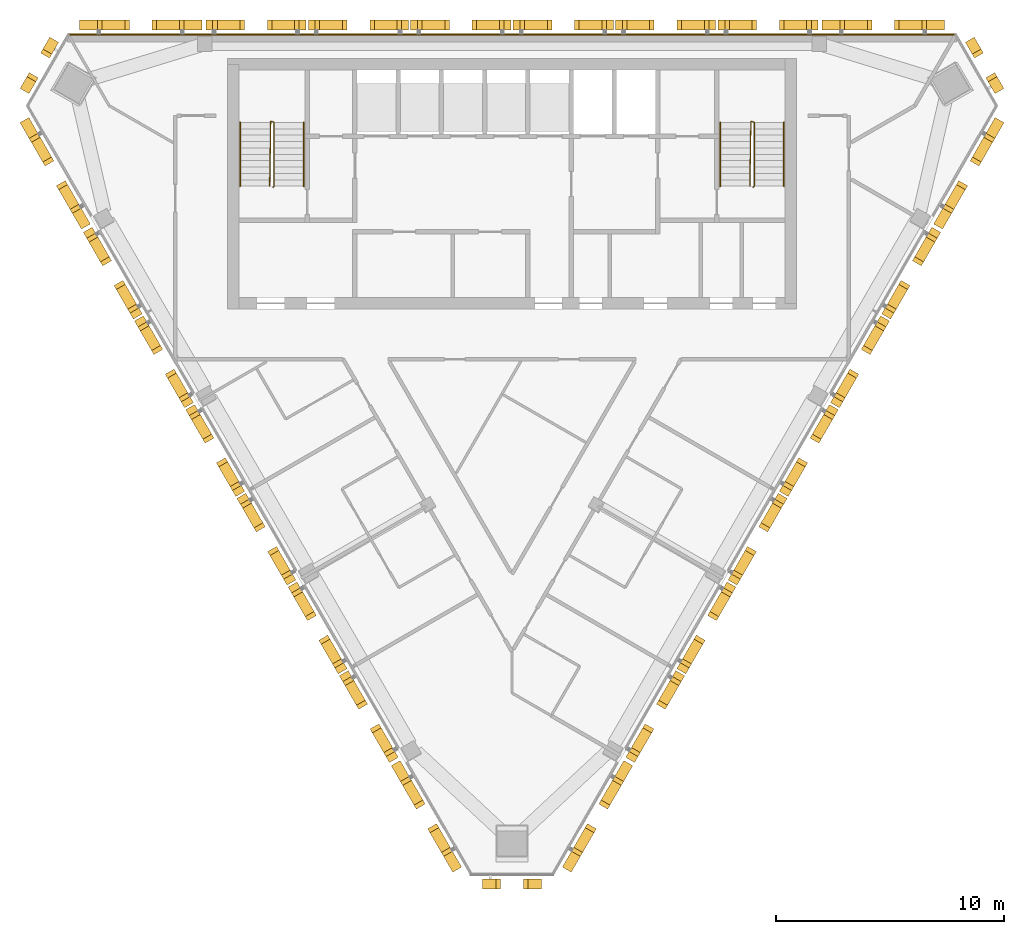
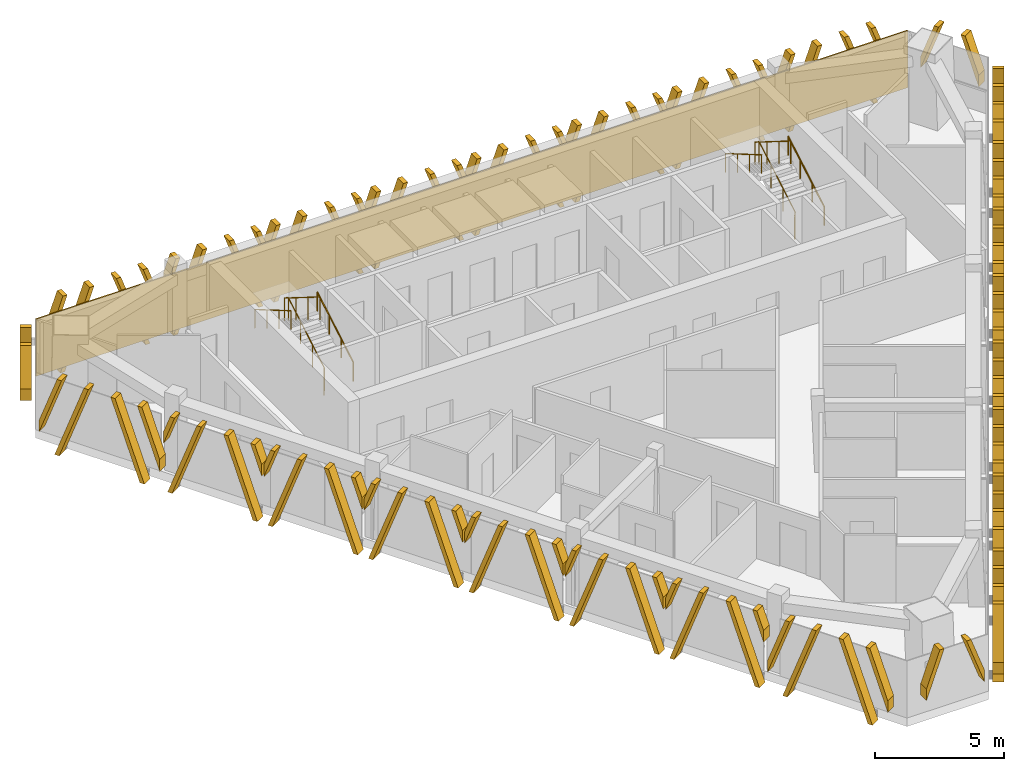
# One storey, part 11 of 12: 27 shading devices, 6 railings, 1 covering.
"""IFC4 building model written with IfcOpenShell, lengths in metres."""

from ifc_helpers import new_model, si_unit, direction, frame, frame_2d, origin, origin_2d, place, context, subcontext, project, spatial, polyline, rectangle, circle, outline, extrude, source, transform, mapped, material, layer, layer_set, type_object, element, save


model = new_model("IFC4")

# Units and contexts
model_context = context("Model", 3, precision=1e-05, world=origin(), true_north=direction((0.0, 1.0)))
body_context = subcontext(model_context, "Body", "Model", "MODEL_VIEW")
ifc_project = project(units=[si_unit("LENGTHUNIT", "METRE"), si_unit("AREAUNIT", "SQUARE_METRE"), si_unit("VOLUMEUNIT", "CUBIC_METRE"), si_unit("PLANEANGLEUNIT", "RADIAN"), si_unit("MASSUNIT", "GRAM", prefix="KILO")], contexts=[model_context])

# Site, building, storey
site_placement = place(None, origin())
site = spatial("IfcSite", under=ifc_project, at=site_placement, CompositionType="ELEMENT")
building_placement = place(site_placement, origin())
building = spatial("IfcBuilding", under=site, at=building_placement, Name="Altiplano Prism Tower", CompositionType="ELEMENT")
storey_placement = place(building_placement, frame((0.0, 0.0, 323.800048828125)))
storey = spatial("IfcBuildingStorey", under=building, at=storey_placement, Name="L84", CompositionType="ELEMENT", Elevation=323.800048828125)

# Railings
ifc_material_1 = material(Name="Steel S355", Category="steel")
railing_type_1 = type_object("IfcRailingType", Name="Stair guard 1100", PredefinedType="GUARDRAIL", material=ifc_material_1)
railing_1_placement = place(storey_placement, frame((74.5, 98.25, 0.0)))
element("IfcRailing", 1, at=railing_1_placement, inside=storey, type_object=railing_type_1, Name="L84 ST1 stair guard 1", PredefinedType="GUARDRAIL", context=body_context, shape_type="SweptSolid", body=[
    extrude(circle(Radius=0.02392578125, at=origin_2d()), frame((0.0, 0.0, 1.076171875), z_axis=(0.280808744504, 0.280808744504, 0.917765164963), x_axis=(-0.707106781187, 0.707106781187, 0.0)), (0.0, 0.0, 1.0), 0.17822265625),
    extrude(circle(Radius=0.02392578125, at=origin_2d()), frame((0.050048828125, 0.050048828125, 1.23974609375), z_axis=(0.0, 0.863360870873, 0.504586966384), x_axis=(-1.0, 0.0, 0.0)), (0.0, 0.0, 1.0), 3.2431640625),
    extrude(circle(Radius=0.02392578125, at=origin_2d()), frame((0.050048828125, 2.85009765625, 2.8759765625), z_axis=(-0.949145278916, 0.314838433982, 0.0), x_axis=(-0.314838433982, -0.949145278916, 0.0)), (0.0, 0.0, 1.0), 0.158203125),
    extrude(circle(Radius=0.02392578125, at=origin_2d()), frame((-0.10009765625, 2.89990234375, 2.8759765625), z_axis=(-0.014774583964, -0.845410385345, 0.533912906773), x_axis=(0.999847325713, -0.01747355902, 0.0)), (0.0, 0.0, 1.0), 3.370849609375),
    extrude(circle(Radius=0.02099609375, at=origin_2d()), origin(), (0.0, 0.0, 1.0), 1.052001953125),
    extrude(circle(Radius=0.02099609375, at=origin_2d()), frame((0.050048828125, 0.050048828125, 0.16357421875)), (0.0, 0.0, 1.0), 1.052001953125),
    extrude(circle(Radius=0.02099609375, at=origin_2d()), frame((0.050048828125, 0.9833984375, 0.708984375)), (0.0, 0.0, 1.0), 1.052001953125),
    extrude(circle(Radius=0.02099609375, at=origin_2d()), frame((0.050048828125, 1.916748046875, 1.254638671875)), (0.0, 0.0, 1.0), 1.052001953125),
    extrude(circle(Radius=0.02099609375, at=origin_2d()), frame((0.050048828125, 2.85009765625, 1.800048828125)), (0.0, 0.0, 1.0), 1.052001953125),
    extrude(circle(Radius=0.02099609375, at=origin_2d()), frame((-0.10009765625, 2.89990234375, 1.800048828125)), (0.0, 0.0, 1.0), 1.052001953125),
    extrude(circle(Radius=0.02099609375, at=origin_2d()), frame((-0.11669921875, 1.949951171875, 2.39990234375)), (0.0, 0.0, 1.0), 1.052001953125),
    extrude(circle(Radius=0.02099609375, at=origin_2d()), frame((-0.13330078125, 1.0, 3.0)), (0.0, 0.0, 1.0), 1.052001953125),
    extrude(circle(Radius=0.02099609375, at=origin_2d()), frame((-0.14990234375, 0.050048828125, 3.599853515625)), (0.0, 0.0, 1.0), 1.052001953125),
])
railing_2_placement = place(storey_placement, frame((95.60009765625, 98.25, 0.0)))
element("IfcRailing", 2, at=railing_2_placement, inside=storey, type_object=railing_type_1, Name="L84 ST2 stair guard 1", PredefinedType="GUARDRAIL", context=body_context, shape_type="SweptSolid", body=[
    extrude(circle(Radius=0.02392578125, at=origin_2d()), frame((0.0, 0.0, 1.076171875), z_axis=(0.279546231943, 0.280916556609, 0.91811752648), x_axis=(-0.708833529934, 0.705375805398, 0.0)), (0.0, 0.0, 1.0), 0.17822265625),
    extrude(circle(Radius=0.02392578125, at=origin_2d()), frame((0.0498046875, 0.050048828125, 1.23974609375), z_axis=(0.0, 0.863360870873, 0.504586966384), x_axis=(-1.0, 0.0, 0.0)), (0.0, 0.0, 1.0), 3.2431640625),
    extrude(circle(Radius=0.02392578125, at=origin_2d()), frame((0.0498046875, 2.85009765625, 2.8759765625), z_axis=(-0.948991962702, 0.315300261223, 0.0), x_axis=(-0.315300261223, -0.948991962702, 0.0)), (0.0, 0.0, 1.0), 0.157958984375),
    extrude(circle(Radius=0.02392578125, at=origin_2d()), frame((-0.10009765625, 2.89990234375, 2.8759765625), z_axis=(-0.014846992469, -0.845409478506, 0.533912334065), x_axis=(0.999845825584, -0.017559187376, 0.0)), (0.0, 0.0, 1.0), 3.37109375),
    extrude(circle(Radius=0.02099609375, at=origin_2d()), origin(), (0.0, 0.0, 1.0), 1.052001953125),
    extrude(circle(Radius=0.02099609375, at=origin_2d()), frame((0.0498046875, 0.050048828125, 0.16357421875)), (0.0, 0.0, 1.0), 1.052001953125),
    extrude(circle(Radius=0.02099609375, at=origin_2d()), frame((0.0498046875, 0.9833984375, 0.708984375)), (0.0, 0.0, 1.0), 1.052001953125),
    extrude(circle(Radius=0.02099609375, at=origin_2d()), frame((0.0498046875, 1.916748046875, 1.254638671875)), (0.0, 0.0, 1.0), 1.052001953125),
    extrude(circle(Radius=0.02099609375, at=origin_2d()), frame((0.0498046875, 2.85009765625, 1.800048828125)), (0.0, 0.0, 1.0), 1.052001953125),
    extrude(circle(Radius=0.02099609375, at=origin_2d()), frame((-0.10009765625, 2.89990234375, 1.800048828125)), (0.0, 0.0, 1.0), 1.052001953125),
    extrude(circle(Radius=0.02099609375, at=origin_2d()), frame((-0.11669921875, 1.949951171875, 2.39990234375)), (0.0, 0.0, 1.0), 1.052001953125),
    extrude(circle(Radius=0.02099609375, at=origin_2d()), frame((-0.133544921875, 1.0, 3.0)), (0.0, 0.0, 1.0), 1.052001953125),
    extrude(circle(Radius=0.02099609375, at=origin_2d()), frame((-0.150146484375, 0.050048828125, 3.599853515625)), (0.0, 0.0, 1.0), 1.052001953125),
])
railing_type_2 = type_object("IfcRailingType", Name="Stair handrail 900", PredefinedType="HANDRAIL", material=ifc_material_1)
railing_3_placement = place(storey_placement, frame((75.85009765625, 98.300048828125, 0.16357421875)))
element("IfcRailing", 3, at=railing_3_placement, inside=storey, type_object=railing_type_2, Name="L84 ST1 stair handrail 1", PredefinedType="HANDRAIL", context=body_context, shape_type="SweptSolid", body=[
    extrude(circle(Radius=0.02392578125, at=origin_2d()), frame((0.0, 0.0, 0.8759765625), z_axis=(0.0, 0.863360870873, 0.504586966384), x_axis=(-1.0, 0.0, 0.0)), (0.0, 0.0, 1.0), 3.2431640625),
    extrude(circle(Radius=0.02099609375, at=origin_2d()), origin(), (0.0, 0.0, 1.0), 0.851806640625),
    extrude(circle(Radius=0.02099609375, at=origin_2d()), frame((0.0, 0.933349609375, 0.54541015625)), (0.0, 0.0, 1.0), 0.851806640625),
    extrude(circle(Radius=0.02099609375, at=origin_2d()), frame((0.0, 1.86669921875, 1.091064453125)), (0.0, 0.0, 1.0), 0.851806640625),
    extrude(circle(Radius=0.02099609375, at=origin_2d()), frame((0.0, 2.800048828125, 1.636474609375)), (0.0, 0.0, 1.0), 0.851806640625),
])
railing_4_placement = place(storey_placement, frame((73.050048828125, 101.10009765625, 1.963623046875)))
element("IfcRailing", 4, at=railing_4_placement, inside=storey, type_object=railing_type_2, Name="L84 ST1 stair handrail 2", PredefinedType="HANDRAIL", context=body_context, shape_type="SweptSolid", body=[
    extrude(circle(Radius=0.02392578125, at=origin_2d()), frame((0.0, 0.0, 0.8759765625), z_axis=(0.0, -0.863393664356, 0.504530851732), x_axis=(1.0, 0.0, 0.0)), (0.0, 0.0, 1.0), 3.2431640625),
    extrude(circle(Radius=0.02099609375, at=origin_2d()), origin(), (0.0, 0.0, 1.0), 0.851806640625),
    extrude(circle(Radius=0.02099609375, at=origin_2d()), frame((0.0, -0.933349609375, 0.54541015625)), (0.0, 0.0, 1.0), 0.851806640625),
    extrude(circle(Radius=0.02099609375, at=origin_2d()), frame((0.0, -1.86669921875, 1.0908203125)), (0.0, 0.0, 1.0), 0.851806640625),
    extrude(circle(Radius=0.02099609375, at=origin_2d()), frame((0.0, -2.800048828125, 1.63623046875)), (0.0, 0.0, 1.0), 0.851806640625),
])
railing_5_placement = place(storey_placement, frame((96.949951171875, 98.300048828125, 0.16357421875)))
element("IfcRailing", 5, at=railing_5_placement, inside=storey, type_object=railing_type_2, Name="L84 ST2 stair handrail 1", PredefinedType="HANDRAIL", context=body_context, shape_type="SweptSolid", body=[
    extrude(circle(Radius=0.02392578125, at=origin_2d()), frame((0.0, 0.0, 0.8759765625), z_axis=(0.0, 0.863360870873, 0.504586966384), x_axis=(-1.0, 0.0, 0.0)), (0.0, 0.0, 1.0), 3.2431640625),
    extrude(circle(Radius=0.02099609375, at=origin_2d()), origin(), (0.0, 0.0, 1.0), 0.851806640625),
    extrude(circle(Radius=0.02099609375, at=origin_2d()), frame((0.0, 0.933349609375, 0.54541015625)), (0.0, 0.0, 1.0), 0.851806640625),
    extrude(circle(Radius=0.02099609375, at=origin_2d()), frame((0.0, 1.86669921875, 1.091064453125)), (0.0, 0.0, 1.0), 0.851806640625),
    extrude(circle(Radius=0.02099609375, at=origin_2d()), frame((0.0, 2.800048828125, 1.636474609375)), (0.0, 0.0, 1.0), 0.851806640625),
])
railing_6_placement = place(storey_placement, frame((94.14990234375, 101.10009765625, 1.963623046875)))
element("IfcRailing", 6, at=railing_6_placement, inside=storey, type_object=railing_type_2, Name="L84 ST2 stair handrail 2", PredefinedType="HANDRAIL", context=body_context, shape_type="SweptSolid", body=[
    extrude(circle(Radius=0.02392578125, at=origin_2d()), frame((0.0, 0.0, 0.8759765625), z_axis=(0.0, -0.863393664356, 0.504530851732), x_axis=(1.0, 0.0, 0.0)), (0.0, 0.0, 1.0), 3.2431640625),
    extrude(circle(Radius=0.02099609375, at=origin_2d()), origin(), (0.0, 0.0, 1.0), 0.851806640625),
    extrude(circle(Radius=0.02099609375, at=origin_2d()), frame((0.0, -0.933349609375, 0.54541015625)), (0.0, 0.0, 1.0), 0.851806640625),
    extrude(circle(Radius=0.02099609375, at=origin_2d()), frame((0.0, -1.86669921875, 1.0908203125)), (0.0, 0.0, 1.0), 0.851806640625),
    extrude(circle(Radius=0.02099609375, at=origin_2d()), frame((0.0, -2.800048828125, 1.63623046875)), (0.0, 0.0, 1.0), 0.851806640625),
])

# Covering
ifc_material_2 = material(Name="Warm limestone cast stone", Category="masonry")
ifc_layer = layer(ifc_material_2, 0.06005859375)
ifc_layer_set = layer_set([ifc_layer], Name="Warm limestone cast stone")
covering_type = type_object("IfcCoveringType", Name="Stone cladding 60", PredefinedType="CLADDING", material=ifc_layer_set)
covering_placement = place(storey_placement, frame((65.470703125, 104.969970703125, 0.0), z_axis=(0.0, 0.0, 1.0), x_axis=(1.0, 0.0, 0.0)))
element("IfcCovering", 7, at=covering_placement, inside=storey, type_object=covering_type, Name="Stone cladding north face L84", PredefinedType="CLADDING", context=body_context, shape_type="SweptSolid", body=[
    extrude(rectangle(XDim=39.05859375, YDim=0.06005859375, at=frame_2d((19.529296875, 0.0))), origin(), (0.0, 0.0, 1.0), 2.699951171875),
])

# Shading devices
shading_device_type_1 = type_object("IfcShadingDeviceType", Name="Stone fin panel, standard unit", PredefinedType="USERDEFINED", material=ifc_material_2)
shared_shape_1 = source(origin(), body_context, "Body", "SweptSolid", [
    extrude(outline(polyline([(-2.199951171875, 2.226318359375), (-1.699951171875, 3.60009765625), (-1.89990234375, 3.60009765625), (-2.199951171875, 2.77587890625), (-2.199951171875, 2.226318359375)])), frame((0.0, -0.14990234375, 0.0), z_axis=(0.0, -1.0, 0.0), x_axis=(1.0, 0.0, 0.0)), (0.0, 0.0, 1.0), 0.4501953125),
    extrude(outline(polyline([(-2.01025390625, 0.0), (-1.810302734375, 0.0), (-0.5, 3.60009765625), (-0.699951171875, 3.60009765625), (-2.01025390625, 0.0)])), frame((0.0, -0.14990234375, 0.0), z_axis=(0.0, -1.0, 0.0), x_axis=(1.0, 0.0, 0.0)), (0.0, 0.0, 1.0), 0.4501953125),
    extrude(outline(polyline([(1.810302734375, 0.0), (2.01025390625, 0.0), (0.699951171875, 3.60009765625), (0.5, 3.60009765625), (1.810302734375, 0.0)])), frame((0.0, -0.14990234375, 0.0), z_axis=(0.0, -1.0, 0.0), x_axis=(1.0, 0.0, 0.0)), (0.0, 0.0, 1.0), 0.4501953125),
    extrude(outline(polyline([(2.199951171875, 2.77587890625), (1.89990234375, 3.60009765625), (1.699951171875, 3.60009765625), (2.199951171875, 2.226318359375), (2.199951171875, 2.77587890625)])), frame((0.0, -0.14990234375, 0.0), z_axis=(0.0, -1.0, 0.0), x_axis=(1.0, 0.0, 0.0)), (0.0, 0.0, 1.0), 0.4501953125),
])
shading_device_1_placement = place(storey_placement, origin())
element("IfcShadingDevice", 8, at=shading_device_1_placement, inside=storey, type_object=shading_device_type_1, Name="Fin L84 north face 2", ObjectType="FIN", PredefinedType="USERDEFINED", context=body_context, shape_type="MappedRepresentation", body=[
    mapped(shared_shape_1, transform((96.25, 105.0, -0.400146484375), x_axis=(-1.0, 0.0, 0.0), y_axis=(0.0, -1.0, 0.0), z_axis=(0.0, 0.0, 1.0))),
])
shading_device_2_placement = place(storey_placement, origin())
element("IfcShadingDevice", 9, at=shading_device_2_placement, inside=storey, type_object=shading_device_type_1, Name="Fin L84 north face 3", ObjectType="FIN", PredefinedType="USERDEFINED", context=body_context, shape_type="MappedRepresentation", body=[
    mapped(shared_shape_1, transform((91.75, 105.0, -0.400146484375), x_axis=(-1.0, 0.0, 0.0), y_axis=(0.0, -1.0, 0.0), z_axis=(0.0, 0.0, 1.0))),
])
shading_device_3_placement = place(storey_placement, origin())
element("IfcShadingDevice", 10, at=shading_device_3_placement, inside=storey, type_object=shading_device_type_1, Name="Fin L84 north face 4", ObjectType="FIN", PredefinedType="USERDEFINED", context=body_context, shape_type="MappedRepresentation", body=[
    mapped(shared_shape_1, transform((87.25, 105.0, -0.400146484375), x_axis=(-1.0, 0.0, 0.0), y_axis=(0.0, -1.0, 0.0), z_axis=(0.0, 0.0, 1.0))),
])
shading_device_4_placement = place(storey_placement, origin())
element("IfcShadingDevice", 11, at=shading_device_4_placement, inside=storey, type_object=shading_device_type_1, Name="Fin L84 north face 5", ObjectType="FIN", PredefinedType="USERDEFINED", context=body_context, shape_type="MappedRepresentation", body=[
    mapped(shared_shape_1, transform((82.75, 105.0, -0.400146484375), x_axis=(-1.0, 0.0, 0.0), y_axis=(0.0, -1.0, 0.0), z_axis=(0.0, 0.0, 1.0))),
])
shading_device_5_placement = place(storey_placement, origin())
element("IfcShadingDevice", 12, at=shading_device_5_placement, inside=storey, type_object=shading_device_type_1, Name="Fin L84 north face 6", ObjectType="FIN", PredefinedType="USERDEFINED", context=body_context, shape_type="MappedRepresentation", body=[
    mapped(shared_shape_1, transform((78.25, 105.0, -0.400146484375), x_axis=(-1.0, 0.0, 0.0), y_axis=(0.0, -1.0, 0.0), z_axis=(0.0, 0.0, 1.0))),
])
shading_device_6_placement = place(storey_placement, origin())
element("IfcShadingDevice", 13, at=shading_device_6_placement, inside=storey, type_object=shading_device_type_1, Name="Fin L84 north face 7", ObjectType="FIN", PredefinedType="USERDEFINED", context=body_context, shape_type="MappedRepresentation", body=[
    mapped(shared_shape_1, transform((73.75, 105.0, -0.400146484375), x_axis=(-1.0, 0.0, 0.0), y_axis=(0.0, -1.0, 0.0), z_axis=(0.0, 0.0, 1.0))),
])
shading_device_7_placement = place(storey_placement, origin())
element("IfcShadingDevice", 14, at=shading_device_7_placement, inside=storey, type_object=shading_device_type_1, Name="Fin L84 south-west face 2", ObjectType="FIN", PredefinedType="USERDEFINED", context=body_context, shape_type="MappedRepresentation", body=[
    mapped(shared_shape_1, transform((67.783203125, 94.6650390625, -0.400146484375), x_axis=(0.499999990992, -0.866025408985, 0.0), y_axis=(0.866025408985, 0.499999990992, 0.0), z_axis=(0.0, 0.0, 1.0))),
])
shading_device_8_placement = place(storey_placement, origin())
element("IfcShadingDevice", 15, at=shading_device_8_placement, inside=storey, type_object=shading_device_type_1, Name="Fin L84 south-west face 3", ObjectType="FIN", PredefinedType="USERDEFINED", context=body_context, shape_type="MappedRepresentation", body=[
    mapped(shared_shape_1, transform((70.033203125, 90.76806640625, -0.400146484375), x_axis=(0.499999990992, -0.866025408985, 0.0), y_axis=(0.866025408985, 0.499999990992, 0.0), z_axis=(0.0, 0.0, 1.0))),
])
shading_device_9_placement = place(storey_placement, origin())
element("IfcShadingDevice", 16, at=shading_device_9_placement, inside=storey, type_object=shading_device_type_1, Name="Fin L84 south-west face 4", ObjectType="FIN", PredefinedType="USERDEFINED", context=body_context, shape_type="MappedRepresentation", body=[
    mapped(shared_shape_1, transform((72.283203125, 86.870849609375, -0.400146484375), x_axis=(0.499999990992, -0.866025408985, 0.0), y_axis=(0.866025408985, 0.499999990992, 0.0), z_axis=(0.0, 0.0, 1.0))),
])
shading_device_10_placement = place(storey_placement, origin())
element("IfcShadingDevice", 17, at=shading_device_10_placement, inside=storey, type_object=shading_device_type_1, Name="Fin L84 south-west face 5", ObjectType="FIN", PredefinedType="USERDEFINED", context=body_context, shape_type="MappedRepresentation", body=[
    mapped(shared_shape_1, transform((74.533203125, 82.973876953125, -0.400146484375), x_axis=(0.499999990992, -0.866025408985, 0.0), y_axis=(0.866025408985, 0.499999990992, 0.0), z_axis=(0.0, 0.0, 1.0))),
])
shading_device_11_placement = place(storey_placement, origin())
element("IfcShadingDevice", 18, at=shading_device_11_placement, inside=storey, type_object=shading_device_type_1, Name="Fin L84 south-west face 6", ObjectType="FIN", PredefinedType="USERDEFINED", context=body_context, shape_type="MappedRepresentation", body=[
    mapped(shared_shape_1, transform((76.783203125, 79.07666015625, -0.400146484375), x_axis=(0.499999990992, -0.866025408985, 0.0), y_axis=(0.866025408985, 0.499999990992, 0.0), z_axis=(0.0, 0.0, 1.0))),
])
shading_device_12_placement = place(storey_placement, origin())
element("IfcShadingDevice", 19, at=shading_device_12_placement, inside=storey, type_object=shading_device_type_1, Name="Fin L84 south-west face 7", ObjectType="FIN", PredefinedType="USERDEFINED", context=body_context, shape_type="MappedRepresentation", body=[
    mapped(shared_shape_1, transform((79.033203125, 75.1796875, -0.400146484375), x_axis=(0.499999990992, -0.866025408985, 0.0), y_axis=(0.866025408985, 0.499999990992, 0.0), z_axis=(0.0, 0.0, 1.0))),
])
shading_device_13_placement = place(storey_placement, origin())
element("IfcShadingDevice", 20, at=shading_device_13_placement, inside=storey, type_object=shading_device_type_1, Name="Fin L84 south-east face 2", ObjectType="FIN", PredefinedType="USERDEFINED", context=body_context, shape_type="MappedRepresentation", body=[
    mapped(shared_shape_1, transform((90.966796875, 75.1796875, -0.400146484375), x_axis=(0.499999990992, 0.866025408985, 0.0), y_axis=(-0.866025408985, 0.499999990992, 0.0), z_axis=(0.0, 0.0, 1.0))),
])
shading_device_14_placement = place(storey_placement, origin())
element("IfcShadingDevice", 21, at=shading_device_14_placement, inside=storey, type_object=shading_device_type_1, Name="Fin L84 south-east face 3", ObjectType="FIN", PredefinedType="USERDEFINED", context=body_context, shape_type="MappedRepresentation", body=[
    mapped(shared_shape_1, transform((93.216796875, 79.07666015625, -0.400146484375), x_axis=(0.499999990992, 0.866025408985, 0.0), y_axis=(-0.866025408985, 0.499999990992, 0.0), z_axis=(0.0, 0.0, 1.0))),
])
shading_device_15_placement = place(storey_placement, origin())
element("IfcShadingDevice", 22, at=shading_device_15_placement, inside=storey, type_object=shading_device_type_1, Name="Fin L84 south-east face 4", ObjectType="FIN", PredefinedType="USERDEFINED", context=body_context, shape_type="MappedRepresentation", body=[
    mapped(shared_shape_1, transform((95.466796875, 82.973876953125, -0.400146484375), x_axis=(0.499999990992, 0.866025408985, 0.0), y_axis=(-0.866025408985, 0.499999990992, 0.0), z_axis=(0.0, 0.0, 1.0))),
])
shading_device_16_placement = place(storey_placement, origin())
element("IfcShadingDevice", 23, at=shading_device_16_placement, inside=storey, type_object=shading_device_type_1, Name="Fin L84 south-east face 5", ObjectType="FIN", PredefinedType="USERDEFINED", context=body_context, shape_type="MappedRepresentation", body=[
    mapped(shared_shape_1, transform((97.716796875, 86.870849609375, -0.400146484375), x_axis=(0.499999990992, 0.866025408985, 0.0), y_axis=(-0.866025408985, 0.499999990992, 0.0), z_axis=(0.0, 0.0, 1.0))),
])
shading_device_17_placement = place(storey_placement, origin())
element("IfcShadingDevice", 24, at=shading_device_17_placement, inside=storey, type_object=shading_device_type_1, Name="Fin L84 south-east face 6", ObjectType="FIN", PredefinedType="USERDEFINED", context=body_context, shape_type="MappedRepresentation", body=[
    mapped(shared_shape_1, transform((99.966796875, 90.76806640625, -0.400146484375), x_axis=(0.499999990992, 0.866025408985, 0.0), y_axis=(-0.866025408985, 0.499999990992, 0.0), z_axis=(0.0, 0.0, 1.0))),
])
shading_device_18_placement = place(storey_placement, origin())
element("IfcShadingDevice", 25, at=shading_device_18_placement, inside=storey, type_object=shading_device_type_1, Name="Fin L84 south-east face 7", ObjectType="FIN", PredefinedType="USERDEFINED", context=body_context, shape_type="MappedRepresentation", body=[
    mapped(shared_shape_1, transform((102.216796875, 94.6650390625, -0.400146484375), x_axis=(0.499999990992, 0.866025408985, 0.0), y_axis=(-0.866025408985, 0.499999990992, 0.0), z_axis=(0.0, 0.0, 1.0))),
])
shading_device_type_2 = type_object("IfcShadingDeviceType", Name="Stone fin panel, chamfer unit", PredefinedType="USERDEFINED", material=ifc_material_2)
shared_shape_2 = source(origin(), body_context, "Body", "SweptSolid", [
    extrude(outline(polyline([(-1.300048828125, 1.402099609375), (-0.5, 3.60009765625), (-0.699951171875, 3.60009765625), (-1.300048828125, 1.951416015625), (-1.300048828125, 1.402099609375)])), frame((0.0, -0.14990234375, 0.0), z_axis=(0.0, -1.0, 0.0), x_axis=(1.0, 0.0, 0.0)), (0.0, 0.0, 1.0), 0.4501953125),
    extrude(outline(polyline([(1.300048828125, 1.951416015625), (0.699951171875, 3.60009765625), (0.5, 3.60009765625), (1.300048828125, 1.402099609375), (1.300048828125, 1.951416015625)])), frame((0.0, -0.14990234375, 0.0), z_axis=(0.0, -1.0, 0.0), x_axis=(1.0, 0.0, 0.0)), (0.0, 0.0, 1.0), 0.4501953125),
])
shading_device_19_placement = place(storey_placement, origin())
element("IfcShadingDevice", 26, at=shading_device_19_placement, inside=storey, type_object=shading_device_type_2, Name="Fin L84 north-west chamfer 1", ObjectType="FIN", PredefinedType="USERDEFINED", context=body_context, shape_type="MappedRepresentation", body=[
    mapped(shared_shape_2, transform((64.55712890625, 103.417724609375, -0.400146484375), x_axis=(-0.49999998401, -0.866025413017, 0.0), y_axis=(0.866025413017, -0.49999998401, 0.0), z_axis=(0.0, 0.0, 1.0))),
])
shading_device_20_placement = place(storey_placement, origin())
element("IfcShadingDevice", 27, at=shading_device_20_placement, inside=storey, type_object=shading_device_type_2, Name="Fin L84 south chamfer 1", ObjectType="FIN", PredefinedType="USERDEFINED", context=body_context, shape_type="MappedRepresentation", body=[
    mapped(shared_shape_2, transform((85.0, 68.00927734375, -0.400146484375), x_axis=(1.0, 0.0, 0.0), y_axis=(0.0, 1.0, 0.0), z_axis=(0.0, 0.0, 1.0))),
])
shading_device_21_placement = place(storey_placement, origin())
element("IfcShadingDevice", 28, at=shading_device_21_placement, inside=storey, type_object=shading_device_type_2, Name="Fin L84 north-east chamfer 1", ObjectType="FIN", PredefinedType="USERDEFINED", context=body_context, shape_type="MappedRepresentation", body=[
    mapped(shared_shape_2, transform((105.44287109375, 103.417724609375, -0.400146484375), x_axis=(-0.49999998401, 0.866025413017, 0.0), y_axis=(-0.866025413017, -0.49999998401, 0.0), z_axis=(0.0, 0.0, 1.0))),
])
shading_device_type_3 = type_object("IfcShadingDeviceType", Name="Stone fin panel, wide closing bay", PredefinedType="USERDEFINED", material=ifc_material_2)
shared_shape_3 = source(origin(), body_context, "Body", "SweptSolid", [
    extrude(outline(polyline([(-2.699951171875, 0.8525390625), (-1.699951171875, 3.60009765625), (-1.89990234375, 3.60009765625), (-2.699951171875, 1.402099609375), (-2.699951171875, 0.8525390625)])), frame((0.0, -0.14990234375, 0.0), z_axis=(0.0, -1.0, 0.0), x_axis=(1.0, 0.0, 0.0)), (0.0, 0.0, 1.0), 0.4501953125),
    extrude(outline(polyline([(-2.01025390625, 0.0), (-1.810302734375, 0.0), (-0.5, 3.60009765625), (-0.699951171875, 3.60009765625), (-2.01025390625, 0.0)])), frame((0.0, -0.14990234375, 0.0), z_axis=(0.0, -1.0, 0.0), x_axis=(1.0, 0.0, 0.0)), (0.0, 0.0, 1.0), 0.4501953125),
    extrude(outline(polyline([(1.810302734375, 0.0), (2.01025390625, 0.0), (0.699951171875, 3.60009765625), (0.5, 3.60009765625), (1.810302734375, 0.0)])), frame((0.0, -0.14990234375, 0.0), z_axis=(0.0, -1.0, 0.0), x_axis=(1.0, 0.0, 0.0)), (0.0, 0.0, 1.0), 0.4501953125),
    extrude(outline(polyline([(2.699951171875, 1.402099609375), (1.89990234375, 3.60009765625), (1.699951171875, 3.60009765625), (2.699951171875, 0.8525390625), (2.699951171875, 1.402099609375)])), frame((0.0, -0.14990234375, 0.0), z_axis=(0.0, -1.0, 0.0), x_axis=(1.0, 0.0, 0.0)), (0.0, 0.0, 1.0), 0.4501953125),
])
shading_device_22_placement = place(storey_placement, origin())
element("IfcShadingDevice", 29, at=shading_device_22_placement, inside=storey, type_object=shading_device_type_3, Name="Fin L84 north face 1", ObjectType="FIN", PredefinedType="USERDEFINED", context=body_context, shape_type="MappedRepresentation", body=[
    mapped(shared_shape_3, transform((101.314697265625, 105.0, -0.400146484375), x_axis=(-1.0, 0.0, 0.0), y_axis=(0.0, -1.0, 0.0), z_axis=(0.0, 0.0, 1.0))),
])
shading_device_23_placement = place(storey_placement, origin())
element("IfcShadingDevice", 30, at=shading_device_23_placement, inside=storey, type_object=shading_device_type_3, Name="Fin L84 north face 8", ObjectType="FIN", PredefinedType="USERDEFINED", context=body_context, shape_type="MappedRepresentation", body=[
    mapped(shared_shape_3, transform((68.685302734375, 105.0, -0.400146484375), x_axis=(-1.0, 0.0, 0.0), y_axis=(0.0, -1.0, 0.0), z_axis=(0.0, 0.0, 1.0))),
])
shading_device_24_placement = place(storey_placement, origin())
element("IfcShadingDevice", 31, at=shading_device_24_placement, inside=storey, type_object=shading_device_type_3, Name="Fin L84 south-west face 1", ObjectType="FIN", PredefinedType="USERDEFINED", context=body_context, shape_type="MappedRepresentation", body=[
    mapped(shared_shape_3, transform((65.250732421875, 99.05126953125, -0.400146484375), x_axis=(0.499999990992, -0.866025408985, 0.0), y_axis=(0.866025408985, 0.499999990992, 0.0), z_axis=(0.0, 0.0, 1.0))),
])
shading_device_25_placement = place(storey_placement, origin())
element("IfcShadingDevice", 32, at=shading_device_25_placement, inside=storey, type_object=shading_device_type_3, Name="Fin L84 south-west face 8", ObjectType="FIN", PredefinedType="USERDEFINED", context=body_context, shape_type="MappedRepresentation", body=[
    mapped(shared_shape_3, transform((81.5654296875, 70.79345703125, -0.400146484375), x_axis=(0.499999990992, -0.866025408985, 0.0), y_axis=(0.866025408985, 0.499999990992, 0.0), z_axis=(0.0, 0.0, 1.0))),
])
shading_device_26_placement = place(storey_placement, origin())
element("IfcShadingDevice", 33, at=shading_device_26_placement, inside=storey, type_object=shading_device_type_3, Name="Fin L84 south-east face 1", ObjectType="FIN", PredefinedType="USERDEFINED", context=body_context, shape_type="MappedRepresentation", body=[
    mapped(shared_shape_3, transform((88.4345703125, 70.79345703125, -0.400146484375), x_axis=(0.499999990992, 0.866025408985, 0.0), y_axis=(-0.866025408985, 0.499999990992, 0.0), z_axis=(0.0, 0.0, 1.0))),
])
shading_device_27_placement = place(storey_placement, origin())
element("IfcShadingDevice", 34, at=shading_device_27_placement, inside=storey, type_object=shading_device_type_3, Name="Fin L84 south-east face 8", ObjectType="FIN", PredefinedType="USERDEFINED", context=body_context, shape_type="MappedRepresentation", body=[
    mapped(shared_shape_3, transform((104.749267578125, 99.05126953125, -0.400146484375), x_axis=(0.499999990992, 0.866025408985, 0.0), y_axis=(-0.866025408985, 0.499999990992, 0.0), z_axis=(0.0, 0.0, 1.0))),
])

save(model, "model.ifc")
